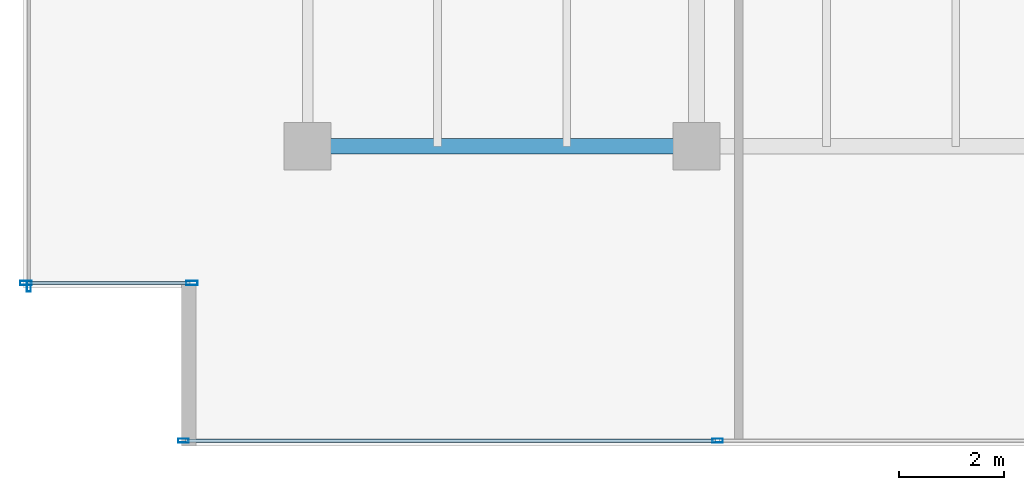
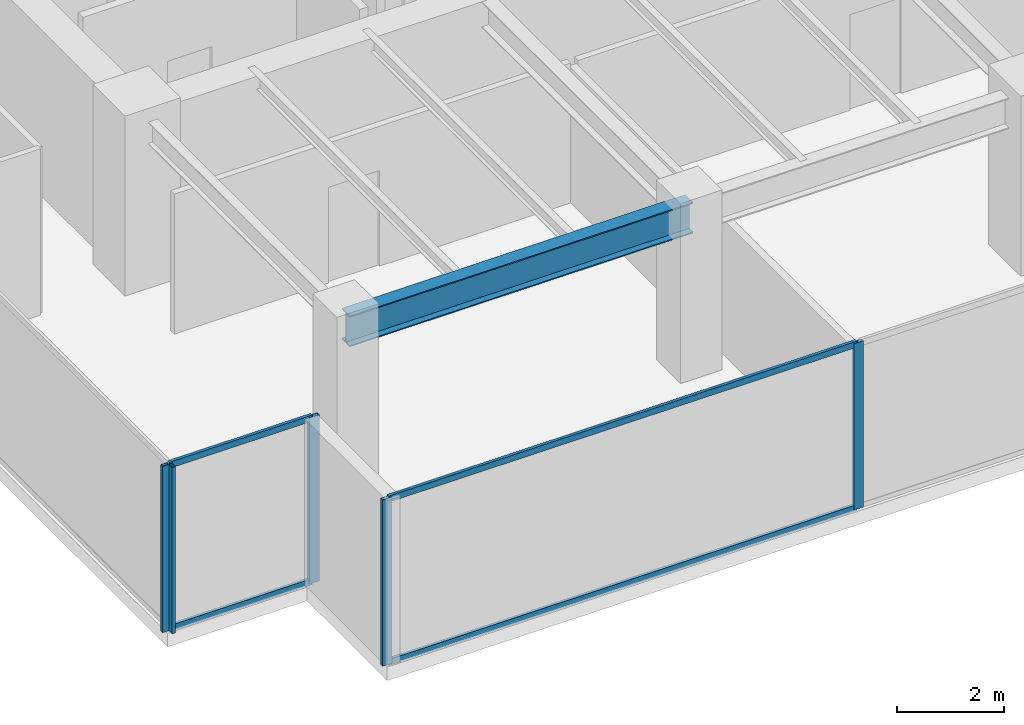
# One storey, part 2 of 30: 9 members, 1 beam, 3 elements without a shape of their own.
"""IFC4 building model written with IfcOpenShell, lengths in metres."""

from ifc_helpers import new_model, si_unit, direction, frame, origin, origin_2d, place, context, subcontext, project, spatial, hollow_rectangle, i_section, extrude, source, transform, mapped, material, layer, layer_set, material_profile, profile_set, type_object, type_shapes, element, aggregate, save


model = new_model("IFC4")

# Units and contexts
model_context = context("Model", 3, precision=1e-05, world=origin(), true_north=direction((0.0, 1.0)))
body_context = subcontext(model_context, "Body", "Model", "MODEL_VIEW")
ifc_project = project(units=[si_unit("LENGTHUNIT", "METRE"), si_unit("AREAUNIT", "SQUARE_METRE"), si_unit("VOLUMEUNIT", "CUBIC_METRE"), si_unit("PLANEANGLEUNIT", "RADIAN"), si_unit("MASSUNIT", "GRAM", prefix="KILO")], contexts=[model_context])

# Site, building, storey
site_placement = place(None, origin())
site = spatial("IfcSite", under=ifc_project, at=site_placement, CompositionType="ELEMENT")
building_placement = place(site_placement, origin())
building = spatial("IfcBuilding", under=site, at=building_placement, Name="Haelvirn Gate Laboratories", CompositionType="ELEMENT")
storey_placement = place(building_placement, frame((0.0, 0.0, 187.10009765625)))
storey = spatial("IfcBuildingStorey", under=building, at=storey_placement, Name="L45", CompositionType="ELEMENT", Elevation=187.10009765625)

# Beam
ifc_material_1 = material(Name="Steel SM355", Category="steel")
ifc_material_profile_1 = material_profile(ifc_material_1, i_section(OverallWidth=0.300048828125, OverallDepth=0.699951171875, WebThickness=0.012939453125, FlangeThickness=0.02392578125, at=origin_2d()), Name="H-700x300x13x24")
ifc_profile_set_1 = profile_set([ifc_material_profile_1], Name="Steel SM355")
beam_type = type_object("IfcBeamType", Name="BM-G-700", PredefinedType="BEAM", material=ifc_profile_set_1)
shared_shape_1 = source(origin(), body_context, "Body", "SweptSolid", [
    extrude(i_section(OverallWidth=0.300048828125, OverallDepth=0.699951171875, WebThickness=0.012939453125, FlangeThickness=0.02392578125, at=origin_2d()), origin(), (0.0, 0.0, 1.0), 7.400146484375),
])
type_shapes(beam_type, [shared_shape_1])
beam_placement = place(storey_placement, frame((7.39990234375, 7.0, 3.43994140625), z_axis=(1.0, 0.0, 0.0), x_axis=(0.0, 1.0, 0.0)))
element("IfcBeam", 1, at=beam_placement, inside=storey, type_object=beam_type, Name="L45 Primary Girder Y7.0 (7.4-14.8)", PredefinedType="BEAM", context=body_context, shape_type="MappedRepresentation", body=[
    mapped(shared_shape_1, transform((0.0, 0.0, 0.0), scale=1.0)),
])

# Curtain wall, members
ifc_material_2 = material(Name="Anodised bronze unitised aluminium & triple low-E glass", Category="aluminium")
ifc_layer_1 = layer(ifc_material_2, 0.179931640625, Name="CW-SYS-3")
ifc_layer_set_1 = layer_set([ifc_layer_1], Name="Anodised bronze unitised aluminium & triple low-E glass")
curtain_wall_type_1 = type_object("IfcCurtainWallType", Name="CW-SYS-3", PredefinedType="NOTDEFINED", material=ifc_layer_set_1)
curtain_wall_1_placement = place(storey_placement, origin())
curtain_wall_1 = element("IfcCurtainWall", 2, at=curtain_wall_1_placement, inside=storey, type_object=curtain_wall_type_1, Name="L45 Unitised Curtain Wall CW-L45-P0-E00-1", PredefinedType="NOTDEFINED")
ifc_material_3 = material(Name="Extruded aluminium 6063-T6 (anodised bronze)", Category="aluminium")
ifc_material_profile_2 = material_profile(ifc_material_3, hollow_rectangle(XDim=0.06494140625, YDim=0.139892578125, WallThickness=0.00390625, at=origin_2d()), Name="CWT-140x65x4")
ifc_profile_set_2 = profile_set([ifc_material_profile_2], Name="Extruded aluminium 6063-T6 (anodised bronze)")
member_type_1 = type_object("IfcMemberType", Name="CWT-T140", PredefinedType="USERDEFINED", material=ifc_profile_set_2)
shared_shape_2 = source(origin(), body_context, "Body", "SweptSolid", [
    extrude(hollow_rectangle(XDim=0.06494140625, YDim=0.139892578125, WallThickness=0.00390625, at=origin_2d()), origin(), (0.0, 0.0, 1.0), 10.087646484375),
])
member_1_placement = place(storey_placement, frame((5.074951171875, 1.39990234375, 0.032470703125), z_axis=(1.0, 0.0, 0.0), x_axis=(0.0, 1.0, 0.0)))
member_1 = element("IfcMember", 3, at=member_1_placement, type_object=member_type_1, Name="CW3 transom 1.1", ObjectType="TRANSOM", PredefinedType="USERDEFINED", context=body_context, shape_type="MappedRepresentation", body=[
    mapped(shared_shape_2, transform((0.0, 0.0, 0.0), scale=1.0)),
])
member_2_placement = place(storey_placement, frame((5.074951171875, 1.39990234375, 3.75732421875), z_axis=(1.0, 0.0, 0.0), x_axis=(0.0, 1.0, 0.0)))
member_2 = element("IfcMember", 4, at=member_2_placement, type_object=member_type_1, Name="CW3 transom 1.2", ObjectType="TRANSOM", PredefinedType="USERDEFINED", context=body_context, shape_type="MappedRepresentation", body=[
    mapped(shared_shape_2, transform((0.0, 0.0, 0.0), scale=1.0)),
])

ifc_layer_2 = layer(ifc_material_2, 0.181884765625, Name="CW-SYS-5")
ifc_layer_set_2 = layer_set([ifc_layer_2], Name="Anodised bronze unitised aluminium & triple low-E glass")
curtain_wall_type_2 = type_object("IfcCurtainWallType", Name="CW-SYS-5", PredefinedType="NOTDEFINED", material=ifc_layer_set_2)
curtain_wall_2_placement = place(storey_placement, origin())
curtain_wall_2 = element("IfcCurtainWall", 5, at=curtain_wall_2_placement, inside=storey, type_object=curtain_wall_type_2, Name="L45 Unitised Curtain Wall CW-L45-P0-E18-1", PredefinedType="NOTDEFINED")
shared_shape_3 = source(origin(), body_context, "Body", "SweptSolid", [
    extrude(hollow_rectangle(XDim=0.06494140625, YDim=0.139892578125, WallThickness=0.00390625, at=origin_2d()), origin(), (0.0, 0.0, 1.0), 3.079833984375),
])
type_shapes(member_type_1, [shared_shape_2, shared_shape_3])
member_3_placement = place(storey_placement, frame((2.080078125, 4.39990234375, 0.032470703125), z_axis=(1.0, 0.0, 0.0), x_axis=(0.0, 1.0, 0.0)))
member_3 = element("IfcMember", 6, at=member_3_placement, type_object=member_type_1, Name="CW5 transom 1.1", ObjectType="TRANSOM", PredefinedType="USERDEFINED", context=body_context, shape_type="MappedRepresentation", body=[
    mapped(shared_shape_3, transform((0.0, 0.0, 0.0), scale=1.0)),
])
member_4_placement = place(storey_placement, frame((2.080078125, 4.39990234375, 3.75732421875), z_axis=(1.0, 0.0, 0.0), x_axis=(0.0, 1.0, 0.0)))
member_4 = element("IfcMember", 7, at=member_4_placement, type_object=member_type_1, Name="CW5 transom 1.2", ObjectType="TRANSOM", PredefinedType="USERDEFINED", context=body_context, shape_type="MappedRepresentation", body=[
    mapped(shared_shape_3, transform((0.0, 0.0, 0.0), scale=1.0)),
])

# Member
ifc_material_profile_3 = material_profile(ifc_material_3, hollow_rectangle(XDim=0.074951171875, YDim=0.199951171875, WallThickness=0.0048828125, at=origin_2d()), Name="CWM-200x75x5")
ifc_profile_set_3 = profile_set([ifc_material_profile_3], Name="Extruded aluminium 6063-T6 (anodised bronze)")
member_type_2 = type_object("IfcMemberType", Name="CWM-T200", PredefinedType="MULLION", material=ifc_profile_set_3)
shared_shape_4 = source(origin(), body_context, "Body", "SweptSolid", [
    extrude(hollow_rectangle(XDim=0.074951171875, YDim=0.199951171875, WallThickness=0.0048828125, at=origin_2d()), origin(), (0.0, 0.0, 1.0), 3.789794921875),
])
type_shapes(member_type_2, [shared_shape_4])
member_5_placement = place(storey_placement, frame((5.03759765625, 1.39990234375, 0.0), z_axis=(0.0, 0.0, 1.0), x_axis=(0.0, 1.0, 0.0)))
member_5 = element("IfcMember", 8, at=member_5_placement, type_object=member_type_2, Name="CW3 mullion 1", PredefinedType="MULLION", context=body_context, shape_type="MappedRepresentation", body=[
    mapped(shared_shape_4, transform((0.0, 0.0, 0.0), scale=1.0)),
])

member_6_placement = place(storey_placement, frame((15.199951171875, 1.39990234375, 0.0), z_axis=(0.0, 0.0, 1.0), x_axis=(0.0, 1.0, 0.0)))
member_6 = element("IfcMember", 9, at=member_6_placement, type_object=member_type_2, Name="CW3 mullion 2", PredefinedType="MULLION", context=body_context, shape_type="MappedRepresentation", body=[
    mapped(shared_shape_4, transform((0.0, 0.0, 0.0), scale=1.0)),
])

aggregate(curtain_wall_1, [member_5, member_6, member_1, member_2])

# Curtain wall, member
curtain_wall_3_placement = place(storey_placement, origin())
curtain_wall_3 = element("IfcCurtainWall", 10, at=curtain_wall_3_placement, inside=storey, type_object=curtain_wall_type_1, Name="L45 Unitised Curtain Wall CW-L45-P0-E17", PredefinedType="NOTDEFINED")
member_7_placement = place(storey_placement, frame((2.10009765625, 4.33740234375, 0.0), z_axis=(0.0, 0.0, 1.0), x_axis=(1.0, 0.0, 0.0)))
member_7 = element("IfcMember", 11, at=member_7_placement, type_object=member_type_2, Name="CW3 mullion 4", PredefinedType="MULLION", context=body_context, shape_type="MappedRepresentation", body=[
    mapped(shared_shape_4, transform((0.0, 0.0, 0.0), scale=1.0)),
])
aggregate(curtain_wall_3, [member_7])

# Member
ifc_material_profile_4 = material_profile(ifc_material_3, hollow_rectangle(XDim=0.080078125, YDim=0.219970703125, WallThickness=0.006103515625, at=origin_2d()), Name="CWM-220x80x6")
ifc_profile_set_4 = profile_set([ifc_material_profile_4], Name="Extruded aluminium 6063-T6 (anodised bronze)")
member_type_3 = type_object("IfcMemberType", Name="CWM-T220", PredefinedType="MULLION", material=ifc_profile_set_4)
shared_shape_5 = source(origin(), body_context, "Body", "SweptSolid", [
    extrude(hollow_rectangle(XDim=0.080078125, YDim=0.219970703125, WallThickness=0.006103515625, at=origin_2d()), origin(), (0.0, 0.0, 1.0), 3.789794921875),
])
type_shapes(member_type_3, [shared_shape_5])
member_8_placement = place(storey_placement, frame((2.0400390625, 4.39990234375, 0.0), z_axis=(0.0, 0.0, 1.0), x_axis=(0.0, 1.0, 0.0)))
member_8 = element("IfcMember", 12, at=member_8_placement, type_object=member_type_3, Name="CW5 mullion 1", PredefinedType="MULLION", context=body_context, shape_type="MappedRepresentation", body=[
    mapped(shared_shape_5, transform((0.0, 0.0, 0.0), scale=1.0)),
])

member_9_placement = place(storey_placement, frame((5.199951171875, 4.39990234375, 0.0), z_axis=(0.0, 0.0, 1.0), x_axis=(0.0, 1.0, 0.0)))
member_9 = element("IfcMember", 13, at=member_9_placement, type_object=member_type_3, Name="CW5 mullion 2", PredefinedType="MULLION", context=body_context, shape_type="MappedRepresentation", body=[
    mapped(shared_shape_5, transform((0.0, 0.0, 0.0), scale=1.0)),
])

aggregate(curtain_wall_2, [member_8, member_9, member_3, member_4])

save(model, "model.ifc")
